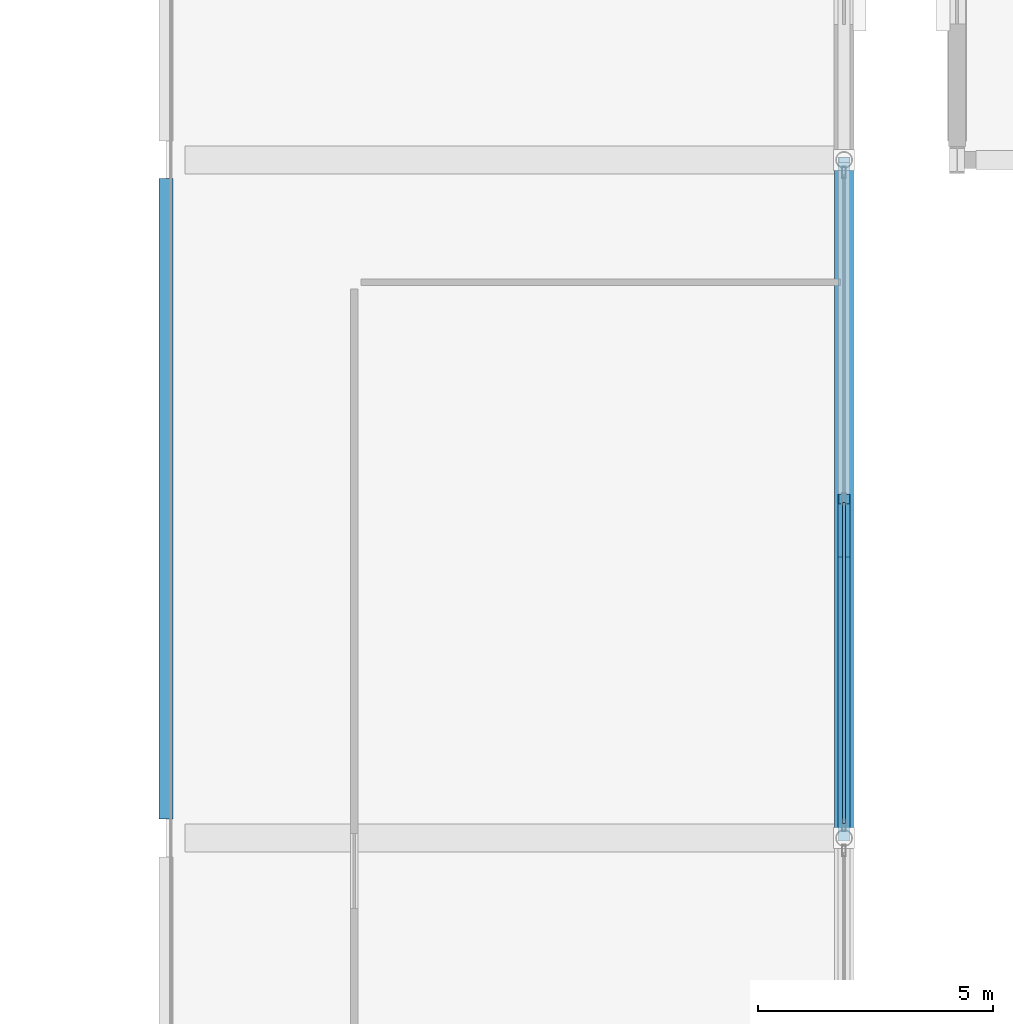
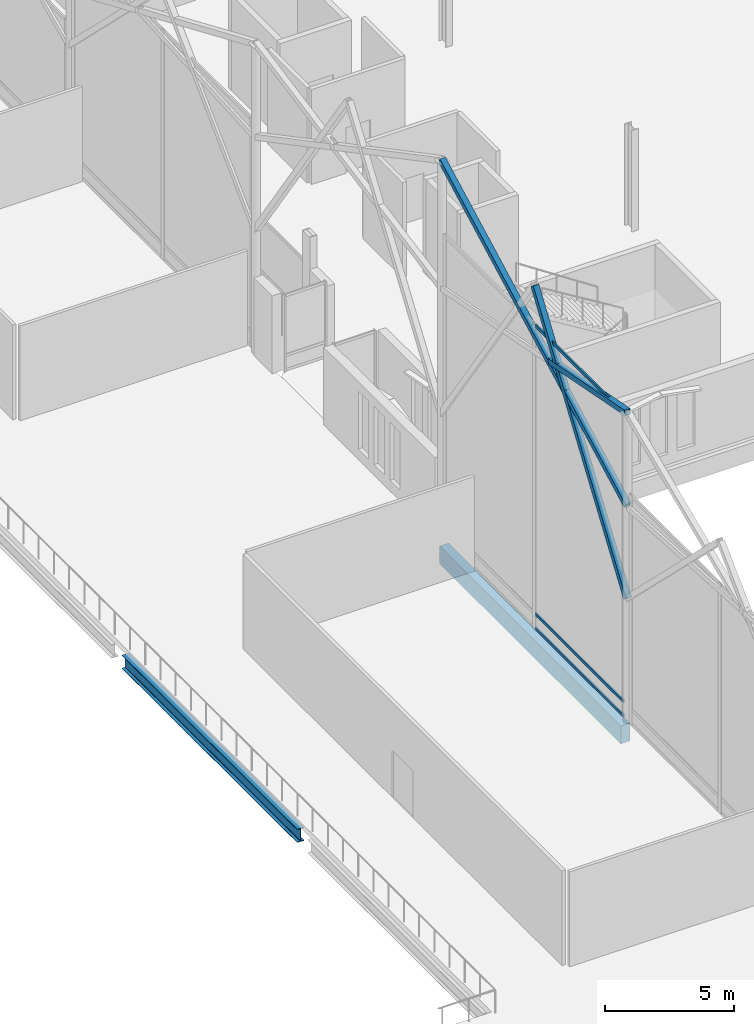
# One storey, part 68 of 220: 6 members, 2 beams, 1 element without a shape of its own.
"""IFC4 building model written with IfcOpenShell, lengths in metres."""

from ifc_helpers import new_model, si_unit, direction, frame, origin, origin_2d, place, context, subcontext, project, spatial, rectangle, hollow_rectangle, i_section, extrude, material, material_profile, profile_set, type_object, element, aggregate, save


model = new_model("IFC4")

# Units and contexts
model_context = context("Model", 3, precision=1e-05, world=origin(), true_north=direction((0.0, 1.0)))
body_context = subcontext(model_context, "Body", "Model", "MODEL_VIEW")
ifc_project = project(units=[si_unit("LENGTHUNIT", "METRE"), si_unit("AREAUNIT", "SQUARE_METRE"), si_unit("VOLUMEUNIT", "CUBIC_METRE"), si_unit("PLANEANGLEUNIT", "RADIAN"), si_unit("MASSUNIT", "GRAM", prefix="KILO")], contexts=[model_context])

# Site, building, storey
site_placement = place(None, origin())
site = spatial("IfcSite", under=ifc_project, at=site_placement, CompositionType="ELEMENT")
building_placement = place(site_placement, origin())
building = spatial("IfcBuilding", under=site, at=building_placement, Name="Cendralis Lancet Convention Centre", CompositionType="ELEMENT")
storey_placement = place(building_placement, frame((0.0, 0.0, 5.39990234375)))
storey = spatial("IfcBuildingStorey", under=building, at=storey_placement, Name="L01", CompositionType="ELEMENT", Elevation=5.39990234375)

# Curtain wall, members
ifc_material_1 = material(Name="Anodised bronze architectural aluminium", Category="aluminium")
curtain_wall_type = type_object("IfcCurtainWallType", Name="ARC-CW-GB02", PredefinedType="USERDEFINED", material=ifc_material_1)
curtain_wall_placement = place(storey_placement, origin())
curtain_wall = element("IfcCurtainWall", 1, at=curtain_wall_placement, inside=storey, type_object=curtain_wall_type, Name="L01 Curtain Wall CW-GB2 #107", ObjectType="CURTAIN WALL", PredefinedType="USERDEFINED")
ifc_material_profile_1 = material_profile(ifc_material_1, hollow_rectangle(XDim=0.070068359375, YDim=0.139892578125, WallThickness=0.00390625, at=origin_2d()), Name="AL-TRAN 70x140x4.0")
ifc_profile_set_1 = profile_set([ifc_material_profile_1], Name="Anodised bronze architectural aluminium")
member_type_1 = type_object("IfcMemberType", Name="ARC-CW-TR02", PredefinedType="USERDEFINED", material=ifc_profile_set_1)
member_1_placement = place(storey_placement, frame((122.39990234375, 86.320068359375, 0.070068359375), z_axis=(0.0, -1.0, 0.0), x_axis=(1.0, 0.0, 0.0)))
member_1 = element("IfcMember", 2, at=member_1_placement, type_object=member_type_1, Name="Transom CW2-CW-GB2-L01-107-T1BOT", ObjectType="TRANSOM", PredefinedType="USERDEFINED", context=body_context, shape_type="SweptSolid", body=[
    extrude(hollow_rectangle(XDim=0.070068359375, YDim=0.139892578125, WallThickness=0.00390625, at=origin_2d()), origin(), (0.0, 0.0, 1.0), 6.812255859375),
])
member_2_placement = place(storey_placement, frame((122.39990234375, 86.320068359375, 0.75), z_axis=(0.0, -1.0, 0.0), x_axis=(1.0, 0.0, 0.0)))
member_2 = element("IfcMember", 3, at=member_2_placement, type_object=member_type_1, Name="Transom CW2-CW-GB2-L01-107-T1MID", ObjectType="TRANSOM", PredefinedType="USERDEFINED", context=body_context, shape_type="SweptSolid", body=[
    extrude(hollow_rectangle(XDim=0.070068359375, YDim=0.139892578125, WallThickness=0.00390625, at=origin_2d()), origin(), (0.0, 0.0, 1.0), 6.812255859375),
])
member_3_placement = place(storey_placement, frame((122.39990234375, 86.320068359375, 14.385986328125), z_axis=(0.0, -1.0, 0.0), x_axis=(1.0, 0.0, 0.0)))
member_3 = element("IfcMember", 4, at=member_3_placement, type_object=member_type_1, Name="Transom CW2-CW-GB2-L01-107-T1TOP", ObjectType="TRANSOM", PredefinedType="USERDEFINED", context=body_context, shape_type="SweptSolid", body=[
    extrude(hollow_rectangle(XDim=0.070068359375, YDim=0.139892578125, WallThickness=0.00390625, at=origin_2d()), origin(), (0.0, 0.0, 1.0), 6.812255859375),
])
aggregate(curtain_wall, [member_1, member_2, member_3])

# Beam
ifc_material_2 = material(Name="Steel S355", Category="steel")
ifc_material_profile_2 = material_profile(ifc_material_2, i_section(OverallWidth=0.300048828125, OverallDepth=0.639892578125, WebThickness=0.013427734375, FlangeThickness=0.02587890625, FilletRadius=0.027099609375, at=origin_2d()), Name="HEA 650")
ifc_profile_set_2 = profile_set([ifc_material_profile_2], Name="Steel S355")
beam_type_1 = type_object("IfcBeamType", Name="STR-BM-SG09", PredefinedType="BEAM", material=ifc_profile_set_2)
beam_1_placement = place(storey_placement, frame((108.0, 79.60009765625, -0.599853515625), z_axis=(0.0, 1.0, 0.0), x_axis=(-1.0, 0.0, 0.0)))
element("IfcBeam", 5, at=beam_1_placement, inside=storey, type_object=beam_type_1, Name="L01 Beam SG09 #1291", PredefinedType="BEAM", context=body_context, shape_type="SweptSolid", body=[
    extrude(i_section(OverallWidth=0.300048828125, OverallDepth=0.639892578125, WebThickness=0.013427734375, FlangeThickness=0.02587890625, FilletRadius=0.027099609375, at=origin_2d()), origin(), (0.0, 0.0, 1.0), 13.599853515625),
])

# Members
ifc_material_profile_3 = material_profile(ifc_material_2, hollow_rectangle(XDim=0.25, YDim=0.25, WallThickness=0.012451171875, at=origin_2d()), Name="SHS 250x250x12.5")
ifc_profile_set_3 = profile_set([ifc_material_profile_3], Name="Steel S355")
member_type_2 = type_object("IfcMemberType", Name="STR-BR-GB01", PredefinedType="BRACE", material=ifc_profile_set_3)
member_4_placement = place(storey_placement, frame((122.39990234375, 79.199951171875, 5.800048828125), z_axis=(0.0, 0.567480667836, 0.823386720583), x_axis=(-1.0, 0.0, 0.0)))
element("IfcMember", 6, at=member_4_placement, inside=storey, type_object=member_type_2, Name="Exhibition Gable Gothic Ogival Tracery Rib GBR1 #041", PredefinedType="BRACE", context=body_context, shape_type="SweptSolid", body=[
    extrude(hollow_rectangle(XDim=0.25, YDim=0.25, WallThickness=0.012451171875, at=origin_2d()), origin(), (0.0, 0.0, 1.0), 12.6875),
])
member_5_placement = place(storey_placement, frame((122.39990234375, 79.199951171875, 10.203125), z_axis=(0.0, 0.883851695016, 0.467767229738), x_axis=(-1.0, 0.0, 0.0)))
element("IfcMember", 7, at=member_5_placement, inside=storey, type_object=member_type_2, Name="Exhibition Gable Gothic Ogival Tracery Rib GBR1 #043", PredefinedType="BRACE", context=body_context, shape_type="SweptSolid", body=[
    extrude(hollow_rectangle(XDim=0.25, YDim=0.25, WallThickness=0.012451171875, at=origin_2d()), origin(), (0.0, 0.0, 1.0), 16.29248046875),
])
member_6_placement = place(storey_placement, frame((122.39990234375, 85.1455078125, 13.45263671875), z_axis=(0.0, -0.981693142697, 0.190469350768), x_axis=(1.0, 0.0, 0.0)))
element("IfcMember", 8, at=member_6_placement, inside=storey, type_object=member_type_2, Name="Exhibition Gable Split X-Brace Rib GBR1 #045", PredefinedType="BRACE", context=body_context, shape_type="SweptSolid", body=[
    extrude(hollow_rectangle(XDim=0.25, YDim=0.25, WallThickness=0.012451171875, at=origin_2d()), origin(), (0.0, 0.0, 1.0), 6.056396484375),
])

# Beam
ifc_material_3 = material(Name="Concrete G40 (C40/50)", Category="concrete")
ifc_material_profile_4 = material_profile(ifc_material_3, rectangle(XDim=0.39990234375, YDim=0.85009765625, at=origin_2d()), Name="RCB 400x850")
ifc_profile_set_4 = profile_set([ifc_material_profile_4], Name="Concrete G40 (C40/50)")
beam_type_2 = type_object("IfcBeamType", Name="STR-SP-SP02", PredefinedType="SPANDREL", material=ifc_profile_set_4)
beam_2_placement = place(storey_placement, frame((122.39990234375, 79.377685546875, -0.704833984375), z_axis=(0.0, 1.0, 0.0), x_axis=(-1.0, 0.0, 0.0)))
element("IfcBeam", 9, at=beam_2_placement, inside=storey, type_object=beam_type_2, Name="L01 Beam SP02 #1290", PredefinedType="SPANDREL", context=body_context, shape_type="SweptSolid", body=[
    extrude(rectangle(XDim=0.39990234375, YDim=0.85009765625, at=origin_2d()), origin(), (0.0, 0.0, 1.0), 14.04443359375),
])

save(model, "model.ifc")
